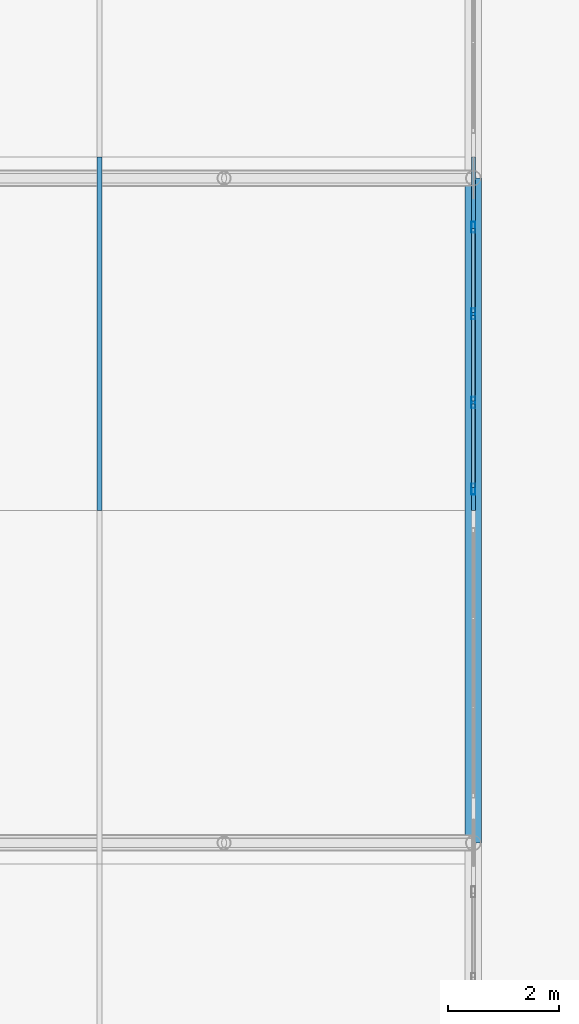
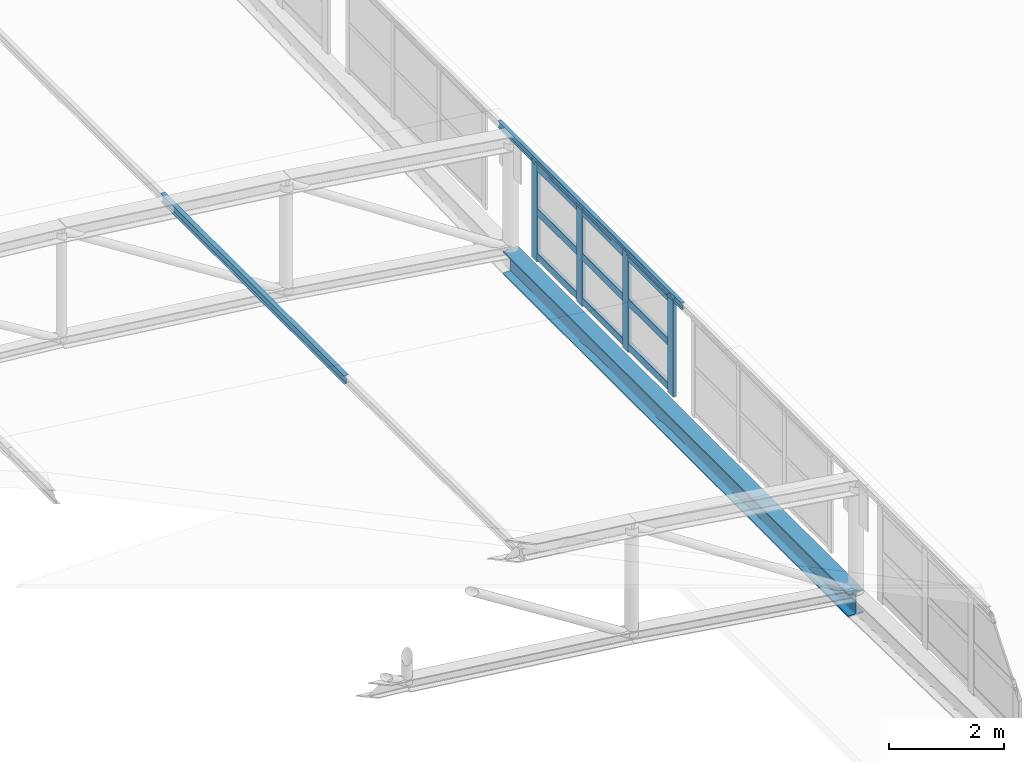
# One storey, part 104 of 262: 15 members, 1 beam, 1 element without a shape of its own.
"""IFC4 building model written with IfcOpenShell, lengths in metres."""

from ifc_helpers import new_model, si_unit, derived_unit, direction, frame, origin, origin_2d, place, context, subcontext, project, spatial, hollow_rectangle, i_section, extrude, material, layer, layer_set, material_profile, profile_set, type_object, element, aggregate, save


model = new_model("IFC4")

# Units and contexts
model_context = context("Model", 3, precision=1e-05, world=origin(), true_north=direction((0.0, 1.0)))
body_context = subcontext(model_context, "Body", "Model", "MODEL_VIEW")
ifc_project = project(units=[si_unit("LENGTHUNIT", "METRE"), si_unit("AREAUNIT", "SQUARE_METRE"), si_unit("VOLUMEUNIT", "CUBIC_METRE"), si_unit("PLANEANGLEUNIT", "RADIAN"), si_unit("MASSUNIT", "GRAM", prefix="KILO"), derived_unit("THERMALTRANSMITTANCEUNIT", [(si_unit("POWERUNIT", "WATT"), 1), (si_unit("LENGTHUNIT", "METRE"), -2), (si_unit("THERMODYNAMICTEMPERATUREUNIT", "KELVIN"), -1)])], contexts=[model_context])

# Site, building, storey
site_placement = place(None, origin())
site = spatial("IfcSite", under=ifc_project, at=site_placement, CompositionType="ELEMENT")
building_placement = place(site_placement, origin())
building = spatial("IfcBuilding", under=site, at=building_placement, Name="Almenara Railside Exhibition Hall", CompositionType="ELEMENT")
storey_placement = place(building_placement, frame((0.0, 0.0, 21.699951171875)))
storey = spatial("IfcBuildingStorey", under=building, at=storey_placement, Name="RF", CompositionType="ELEMENT", Elevation=21.699951171875)

# Member
ifc_material_1 = material(Name="Structural steel S355JR", Category="steel")
ifc_material_profile_1 = material_profile(ifc_material_1, i_section(OverallWidth=0.072998046875, OverallDepth=0.139892578125, WebThickness=0.004638671875, FlangeThickness=0.0068359375, FilletRadius=0.007080078125, at=origin_2d()), Name="IPE 140")
ifc_profile_set_1 = profile_set([ifc_material_profile_1], Name="Structural steel S355JR")
member_type_1 = type_object("IfcMemberType", Name="Canopy Edge Purlin IPE 140 S355JR", PredefinedType="PURLIN", material=ifc_profile_set_1)
member_1_placement = place(storey_placement, frame((66.0, 90.0, 0.0146484375), z_axis=(0.0, 1.0, 0.0), x_axis=(-1.0, 0.0, 0.0)))
element("IfcMember", 1, at=member_1_placement, inside=storey, type_object=member_type_1, Name="MEM-PR-V1-PR-IPE140-08-14", PredefinedType="PURLIN", context=body_context, shape_type="SweptSolid", body=[
    extrude(i_section(OverallWidth=0.072998046875, OverallDepth=0.139892578125, WebThickness=0.004638671875, FlangeThickness=0.0068359375, FilletRadius=0.007080078125, at=origin_2d()), origin(), (0.0, 0.0, 1.0), 6.3798828125),
])

# Curtain wall, members
ifc_material_2 = material(Name="Bronze-anodised aluminium and low-E double glazing", Category="aluminium")
ifc_layer = layer(ifc_material_2, 0.179931640625, Name="Bronze-anodised aluminium and low-E double glazing")
ifc_layer_set = layer_set([ifc_layer], Name="Bronze-anodised aluminium and low-E double glazing")
curtain_wall_type = type_object("IfcCurtainWallType", Name="West Hall Clerestory Curtain Wall 4200x2400", PredefinedType="NOTDEFINED", material=ifc_layer_set)
curtain_wall_placement = place(storey_placement, origin())
curtain_wall = element("IfcCurtainWall", 2, at=curtain_wall_placement, inside=storey, type_object=curtain_wall_type, Name="Curtain wall CW-CL1-183", PredefinedType="NOTDEFINED")
ifc_material_3 = material(Name="Bronze-anodised aluminium", Category="aluminium")
ifc_material_profile_2 = material_profile(ifc_material_3, hollow_rectangle(XDim=0.070068359375, YDim=0.199951171875, WallThickness=0.00439453125, InnerFilletRadius=0.00439453125, OuterFilletRadius=0.009033203125, at=origin_2d()), Name="ALU-MUL 70x200x4.5")
ifc_profile_set_2 = profile_set([ifc_material_profile_2], Name="Bronze-anodised aluminium")
member_type_2 = type_object("IfcMemberType", Name="Curtain Wall Mullion 70x200x4.5", PredefinedType="MULLION", material=ifc_profile_set_2)
member_2_placement = place(storey_placement, frame((66.0, 90.385009765625, -2.0849609375), z_axis=(0.0, 0.0, 1.0), x_axis=(-1.0, 0.0, 0.0)))
member_2 = element("IfcMember", 3, at=member_2_placement, type_object=member_type_2, Name="CW-CL1-183 mullion 1", PredefinedType="MULLION", context=body_context, shape_type="SweptSolid", body=[
    extrude(hollow_rectangle(XDim=0.070068359375, YDim=0.199951171875, WallThickness=0.00439453125, InnerFilletRadius=0.00439453125, OuterFilletRadius=0.009033203125, at=origin_2d()), origin(), (0.0, 0.0, 1.0), 2.0849609375),
])
member_3_placement = place(storey_placement, frame((66.0, 91.949951171875, -2.0849609375), z_axis=(0.0, 0.0, 1.0), x_axis=(-1.0, 0.0, 0.0)))
member_3 = element("IfcMember", 4, at=member_3_placement, type_object=member_type_2, Name="CW-CL1-183 mullion 2", PredefinedType="MULLION", context=body_context, shape_type="SweptSolid", body=[
    extrude(hollow_rectangle(XDim=0.070068359375, YDim=0.199951171875, WallThickness=0.00439453125, InnerFilletRadius=0.00439453125, OuterFilletRadius=0.009033203125, at=origin_2d()), origin(), (0.0, 0.0, 1.0), 2.0849609375),
])
member_4_placement = place(storey_placement, frame((66.0, 93.550048828125, -2.0849609375), z_axis=(0.0, 0.0, 1.0), x_axis=(-1.0, 0.0, 0.0)))
member_4 = element("IfcMember", 5, at=member_4_placement, type_object=member_type_2, Name="CW-CL1-183 mullion 3", PredefinedType="MULLION", context=body_context, shape_type="SweptSolid", body=[
    extrude(hollow_rectangle(XDim=0.070068359375, YDim=0.199951171875, WallThickness=0.00439453125, InnerFilletRadius=0.00439453125, OuterFilletRadius=0.009033203125, at=origin_2d()), origin(), (0.0, 0.0, 1.0), 2.0849609375),
])
member_5_placement = place(storey_placement, frame((66.0, 95.114990234375, -2.0849609375), z_axis=(0.0, 0.0, 1.0), x_axis=(-1.0, 0.0, 0.0)))
member_5 = element("IfcMember", 6, at=member_5_placement, type_object=member_type_2, Name="CW-CL1-183 mullion 4", PredefinedType="MULLION", context=body_context, shape_type="SweptSolid", body=[
    extrude(hollow_rectangle(XDim=0.070068359375, YDim=0.199951171875, WallThickness=0.00439453125, InnerFilletRadius=0.00439453125, OuterFilletRadius=0.009033203125, at=origin_2d()), origin(), (0.0, 0.0, 1.0), 2.0849609375),
])
ifc_material_profile_3 = material_profile(ifc_material_3, hollow_rectangle(XDim=0.070068359375, YDim=0.159912109375, WallThickness=0.00390625, InnerFilletRadius=0.00390625, OuterFilletRadius=0.008056640625, at=origin_2d()), Name="ALU-TRN 70x160x4")
ifc_profile_set_3 = profile_set([ifc_material_profile_3], Name="Bronze-anodised aluminium")
member_type_3 = type_object("IfcMemberType", Name="Curtain Wall Transom 70x160x4", PredefinedType="USERDEFINED", material=ifc_profile_set_3)
member_6_placement = place(storey_placement, frame((66.0, 90.412109375, -1.969970703125), z_axis=(0.0, 1.0, 0.0), x_axis=(-1.0, 0.0, 0.0)))
member_6 = element("IfcMember", 7, at=member_6_placement, type_object=member_type_3, Name="CW-CL1-183 transom 1.1", ObjectType="TRANSOM", PredefinedType="USERDEFINED", context=body_context, shape_type="SweptSolid", body=[
    extrude(hollow_rectangle(XDim=0.070068359375, YDim=0.159912109375, WallThickness=0.00390625, InnerFilletRadius=0.00390625, OuterFilletRadius=0.008056640625, at=origin_2d()), origin(), (0.0, 0.0, 1.0), 1.510986328125),
])
member_7_placement = place(storey_placement, frame((66.0, 90.412109375, -1.02490234375), z_axis=(0.0, 1.0, 0.0), x_axis=(-1.0, 0.0, 0.0)))
member_7 = element("IfcMember", 8, at=member_7_placement, type_object=member_type_3, Name="CW-CL1-183 transom 1.2", ObjectType="TRANSOM", PredefinedType="USERDEFINED", context=body_context, shape_type="SweptSolid", body=[
    extrude(hollow_rectangle(XDim=0.070068359375, YDim=0.159912109375, WallThickness=0.00390625, InnerFilletRadius=0.00390625, OuterFilletRadius=0.008056640625, at=origin_2d()), origin(), (0.0, 0.0, 1.0), 1.510986328125),
])
member_8_placement = place(storey_placement, frame((66.0, 90.412109375, -0.079833984375), z_axis=(0.0, 1.0, 0.0), x_axis=(-1.0, 0.0, 0.0)))
member_8 = element("IfcMember", 9, at=member_8_placement, type_object=member_type_3, Name="CW-CL1-183 transom 1.3", ObjectType="TRANSOM", PredefinedType="USERDEFINED", context=body_context, shape_type="SweptSolid", body=[
    extrude(hollow_rectangle(XDim=0.070068359375, YDim=0.159912109375, WallThickness=0.00390625, InnerFilletRadius=0.00390625, OuterFilletRadius=0.008056640625, at=origin_2d()), origin(), (0.0, 0.0, 1.0), 1.510986328125),
])
member_9_placement = place(storey_placement, frame((66.0, 91.97705078125, -1.969970703125), z_axis=(0.0, 1.0, 0.0), x_axis=(-1.0, 0.0, 0.0)))
member_9 = element("IfcMember", 10, at=member_9_placement, type_object=member_type_3, Name="CW-CL1-183 transom 2.1", ObjectType="TRANSOM", PredefinedType="USERDEFINED", context=body_context, shape_type="SweptSolid", body=[
    extrude(hollow_rectangle(XDim=0.070068359375, YDim=0.159912109375, WallThickness=0.00390625, InnerFilletRadius=0.00390625, OuterFilletRadius=0.008056640625, at=origin_2d()), origin(), (0.0, 0.0, 1.0), 1.5458984375),
])
member_10_placement = place(storey_placement, frame((66.0, 91.97705078125, -1.02490234375), z_axis=(0.0, 1.0, 0.0), x_axis=(-1.0, 0.0, 0.0)))
member_10 = element("IfcMember", 11, at=member_10_placement, type_object=member_type_3, Name="CW-CL1-183 transom 2.2", ObjectType="TRANSOM", PredefinedType="USERDEFINED", context=body_context, shape_type="SweptSolid", body=[
    extrude(hollow_rectangle(XDim=0.070068359375, YDim=0.159912109375, WallThickness=0.00390625, InnerFilletRadius=0.00390625, OuterFilletRadius=0.008056640625, at=origin_2d()), origin(), (0.0, 0.0, 1.0), 1.5458984375),
])
member_11_placement = place(storey_placement, frame((66.0, 91.97705078125, -0.079833984375), z_axis=(0.0, 1.0, 0.0), x_axis=(-1.0, 0.0, 0.0)))
member_11 = element("IfcMember", 12, at=member_11_placement, type_object=member_type_3, Name="CW-CL1-183 transom 2.3", ObjectType="TRANSOM", PredefinedType="USERDEFINED", context=body_context, shape_type="SweptSolid", body=[
    extrude(hollow_rectangle(XDim=0.070068359375, YDim=0.159912109375, WallThickness=0.00390625, InnerFilletRadius=0.00390625, OuterFilletRadius=0.008056640625, at=origin_2d()), origin(), (0.0, 0.0, 1.0), 1.5458984375),
])
member_12_placement = place(storey_placement, frame((66.0, 93.576904296875, -1.969970703125), z_axis=(0.0, 1.0, 0.0), x_axis=(-1.0, 0.0, 0.0)))
member_12 = element("IfcMember", 13, at=member_12_placement, type_object=member_type_3, Name="CW-CL1-183 transom 3.1", ObjectType="TRANSOM", PredefinedType="USERDEFINED", context=body_context, shape_type="SweptSolid", body=[
    extrude(hollow_rectangle(XDim=0.070068359375, YDim=0.159912109375, WallThickness=0.00390625, InnerFilletRadius=0.00390625, OuterFilletRadius=0.008056640625, at=origin_2d()), origin(), (0.0, 0.0, 1.0), 1.510986328125),
])
member_13_placement = place(storey_placement, frame((66.0, 93.576904296875, -1.02490234375), z_axis=(0.0, 1.0, 0.0), x_axis=(-1.0, 0.0, 0.0)))
member_13 = element("IfcMember", 14, at=member_13_placement, type_object=member_type_3, Name="CW-CL1-183 transom 3.2", ObjectType="TRANSOM", PredefinedType="USERDEFINED", context=body_context, shape_type="SweptSolid", body=[
    extrude(hollow_rectangle(XDim=0.070068359375, YDim=0.159912109375, WallThickness=0.00390625, InnerFilletRadius=0.00390625, OuterFilletRadius=0.008056640625, at=origin_2d()), origin(), (0.0, 0.0, 1.0), 1.510986328125),
])
member_14_placement = place(storey_placement, frame((66.0, 93.576904296875, -0.079833984375), z_axis=(0.0, 1.0, 0.0), x_axis=(-1.0, 0.0, 0.0)))
member_14 = element("IfcMember", 15, at=member_14_placement, type_object=member_type_3, Name="CW-CL1-183 transom 3.3", ObjectType="TRANSOM", PredefinedType="USERDEFINED", context=body_context, shape_type="SweptSolid", body=[
    extrude(hollow_rectangle(XDim=0.070068359375, YDim=0.159912109375, WallThickness=0.00390625, InnerFilletRadius=0.00390625, OuterFilletRadius=0.008056640625, at=origin_2d()), origin(), (0.0, 0.0, 1.0), 1.510986328125),
])
aggregate(curtain_wall, [member_2, member_3, member_4, member_5, member_6, member_7, member_8, member_9, member_10, member_11, member_12, member_13, member_14])

# Member
ifc_material_profile_4 = material_profile(ifc_material_1, i_section(OverallWidth=0.091064453125, OverallDepth=0.179931640625, WebThickness=0.00537109375, FlangeThickness=0.008056640625, FilletRadius=0.009033203125, at=origin_2d()), Name="IPE 180")
ifc_profile_set_4 = profile_set([ifc_material_profile_4], Name="Structural steel S355JR")
member_type_4 = type_object("IfcMemberType", Name="Plenary Roof Purlin IPE 180 S355JR", PredefinedType="PURLIN", material=ifc_profile_set_4)
member_15_placement = place(storey_placement, frame((59.25, 90.0, 0.8212890625), z_axis=(0.0, 1.0, 0.0), x_axis=(-1.0, 0.0, 0.0)))
element("IfcMember", 16, at=member_15_placement, inside=storey, type_object=member_type_4, Name="MEM-PR-V1-PR-IPE180-07-14", PredefinedType="PURLIN", context=body_context, shape_type="SweptSolid", body=[
    extrude(i_section(OverallWidth=0.091064453125, OverallDepth=0.179931640625, WebThickness=0.00537109375, FlangeThickness=0.008056640625, FilletRadius=0.009033203125, at=origin_2d()), origin(), (0.0, 0.0, 1.0), 6.3798828125),
])

# Beam
ifc_material_profile_5 = material_profile(ifc_material_1, i_section(OverallWidth=0.300048828125, OverallDepth=0.5, WebThickness=0.014404296875, FlangeThickness=0.028076171875, FilletRadius=0.027099609375, at=origin_2d()), Name="HEB 500")
ifc_profile_set_5 = profile_set([ifc_material_profile_5], Name="Structural steel S355JR")
beam_type = type_object("IfcBeamType", Name="Steel Heavy Eaves Girder HEB 500 S355JR", PredefinedType="USERDEFINED", material=ifc_profile_set_5)
beam_placement = place(storey_placement, frame((66.0, 84.0, -2.64990234375), z_axis=(0.0, 1.0, 0.0), x_axis=(-1.0, 0.0, 0.0)))
element("IfcBeam", 17, at=beam_placement, inside=storey, type_object=beam_type, Name="Beam 0968", ObjectType="GIRDER", PredefinedType="USERDEFINED", context=body_context, shape_type="SweptSolid", body=[
    extrude(i_section(OverallWidth=0.300048828125, OverallDepth=0.5, WebThickness=0.014404296875, FlangeThickness=0.028076171875, FilletRadius=0.027099609375, at=origin_2d()), origin(), (0.0, 0.0, 1.0), 12.0),
])

save(model, "model.ifc")
